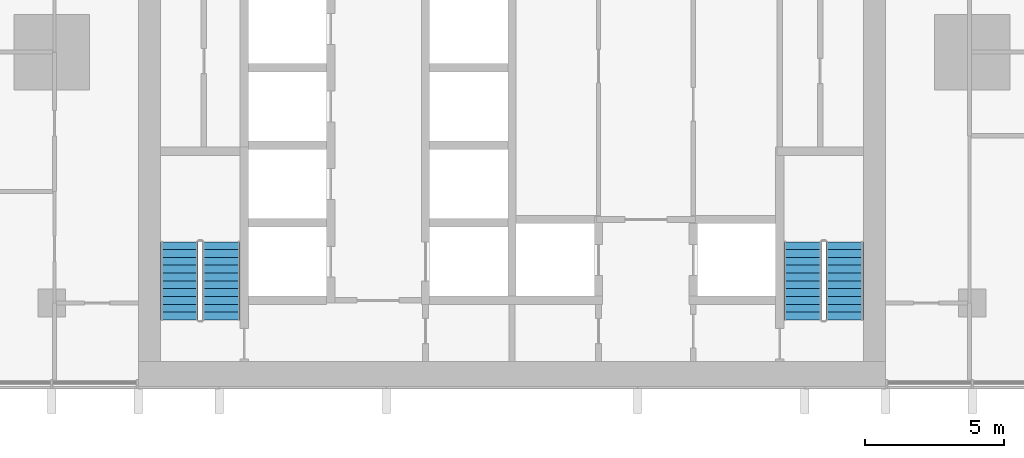
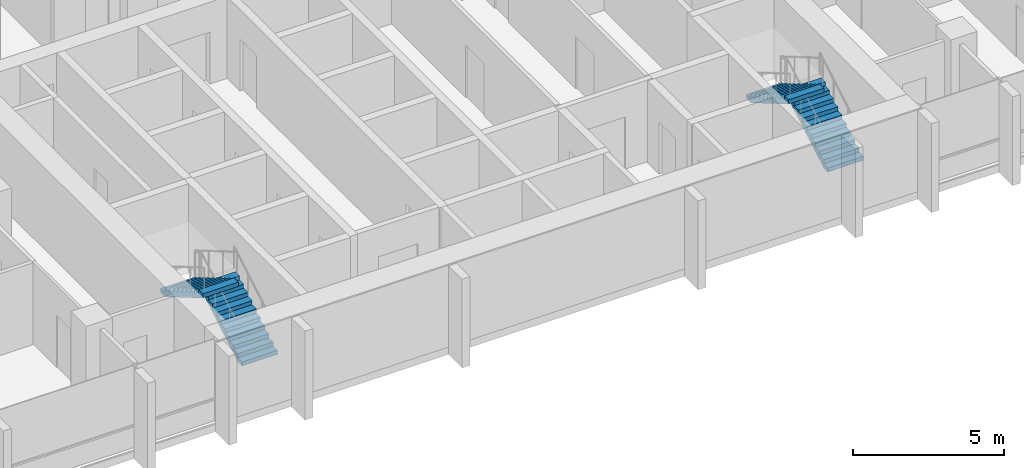
# One storey, part 13 of 19: 4 stair flights, 2 elements without a shape of their own.
"""IFC4 building model written with IfcOpenShell, lengths in metres."""

from ifc_helpers import new_model, si_unit, direction, frame, origin, place, context, subcontext, project, spatial, polyline, outline, extrude, material, type_object, element, aggregate, save


model = new_model("IFC4")

# Units and contexts
model_context = context("Model", 3, precision=1e-05, world=origin(), true_north=direction((0.0, 1.0)))
body_context = subcontext(model_context, "Body", "Model", "MODEL_VIEW")
ifc_project = project(units=[si_unit("LENGTHUNIT", "METRE"), si_unit("AREAUNIT", "SQUARE_METRE"), si_unit("VOLUMEUNIT", "CUBIC_METRE"), si_unit("PLANEANGLEUNIT", "RADIAN"), si_unit("MASSUNIT", "GRAM", prefix="KILO")], contexts=[model_context])

# Site, building, storey
site_placement = place(None, origin())
site = spatial("IfcSite", under=ifc_project, at=site_placement, CompositionType="ELEMENT")
building_placement = place(site_placement, origin())
building = spatial("IfcBuilding", under=site, at=building_placement, Name="Finial Court Residences", CompositionType="ELEMENT")
storey_placement = place(building_placement, frame((0.0, 0.0, 88.300048828125)))
storey = spatial("IfcBuildingStorey", under=building, at=storey_placement, Name="L21", CompositionType="ELEMENT", Elevation=88.300048828125)

# Stair, stair flights
ifc_material = material(Name="Concrete C50/60", Category="concrete")
stair_type = type_object("IfcStairType", Name="Exit stair 22 risers of 163.6 mm", PredefinedType="HALF_TURN_STAIR", material=ifc_material)
stair_1_placement = place(storey_placement, origin())
stair_1 = element("IfcStair", 1, at=stair_1_placement, inside=storey, type_object=stair_type, Name="L21 Exit stair ST-1", PredefinedType="HALF_TURN_STAIR")
stair_flight_type = type_object("IfcStairFlightType", Name="Exit stair flight", PredefinedType="STRAIGHT", material=ifc_material)
stair_flight_1_placement = place(storey_placement, frame((-10.425048828125, -23.10009765625, 0.0), z_axis=(0.0, 0.0, 1.0), x_axis=(0.0, 1.0, 0.0)))
stair_flight_1 = element("IfcStairFlight", 2, at=stair_flight_1_placement, type_object=stair_flight_type, Name="ST-1 flight 1", NumberOfRisers=11, NumberOfTreads=10, PredefinedType="STRAIGHT", RiserHeight=0.163636364, TreadLength=0.28, context=body_context, shape_type="SweptSolid", body=[
    extrude(outline(polyline([(0.0, 0.0), (0.0, 0.16357421875), (0.280029296875, 0.16357421875), (0.280029296875, 0.327392578125), (0.56005859375, 0.327392578125), (0.56005859375, 0.490966796875), (0.840087890625, 0.490966796875), (0.840087890625, 0.654541015625), (1.1201171875, 0.654541015625), (1.1201171875, 0.818115234375), (1.39990234375, 0.818115234375), (1.39990234375, 0.98193359375), (1.679931640625, 0.98193359375), (1.679931640625, 1.1455078125), (1.9599609375, 1.1455078125), (1.9599609375, 1.30908203125), (2.239990234375, 1.30908203125), (2.239990234375, 1.47265625), (2.52001953125, 1.47265625), (2.52001953125, 1.636474609375), (2.800048828125, 1.636474609375), (2.800048828125, 1.800048828125), (2.800048828125, 1.462646484375), (0.297119140625, 0.0), (0.0, 0.0)])), frame((0.0, 0.675048828125, 0.0), z_axis=(0.0, -1.0, 0.0), x_axis=(1.0, 0.0, 0.0)), (0.0, 0.0, 1.0), 1.35009765625),
])
stair_flight_2_placement = place(storey_placement, frame((-11.925048828125, -20.300048828125, 1.800048828125), z_axis=(0.0, 0.0, 1.0), x_axis=(0.0, -1.0, 0.0)))
stair_flight_2 = element("IfcStairFlight", 3, at=stair_flight_2_placement, type_object=stair_flight_type, Name="ST-1 flight 2", NumberOfRisers=11, NumberOfTreads=10, PredefinedType="STRAIGHT", RiserHeight=0.163636364, TreadLength=0.28, context=body_context, shape_type="SweptSolid", body=[
    extrude(outline(polyline([(0.0, 0.0), (0.0, 0.16357421875), (0.280029296875, 0.16357421875), (0.280029296875, 0.327392578125), (0.56005859375, 0.327392578125), (0.56005859375, 0.490966796875), (0.840087890625, 0.490966796875), (0.840087890625, 0.654541015625), (1.1201171875, 0.654541015625), (1.1201171875, 0.818115234375), (1.39990234375, 0.818115234375), (1.39990234375, 0.98193359375), (1.679931640625, 0.98193359375), (1.679931640625, 1.1455078125), (1.9599609375, 1.1455078125), (1.9599609375, 1.30908203125), (2.239990234375, 1.30908203125), (2.239990234375, 1.47265625), (2.52001953125, 1.47265625), (2.52001953125, 1.636474609375), (2.800048828125, 1.636474609375), (2.800048828125, 1.800048828125), (2.800048828125, 1.462646484375), (0.297119140625, 0.0), (0.0, 0.0)])), frame((0.0, 0.675048828125, 0.0), z_axis=(0.0, -1.0, 0.0), x_axis=(1.0, 0.0, 0.0)), (0.0, 0.0, 1.0), 1.35009765625),
])
aggregate(stair_1, [stair_flight_1, stair_flight_2])

stair_2_placement = place(storey_placement, origin())
stair_2 = element("IfcStair", 4, at=stair_2_placement, inside=storey, type_object=stair_type, Name="L21 Exit stair ST-2", PredefinedType="HALF_TURN_STAIR")
stair_flight_3_placement = place(storey_placement, frame((11.925048828125, -23.10009765625, 0.0), z_axis=(0.0, 0.0, 1.0), x_axis=(0.0, 1.0, 0.0)))
stair_flight_3 = element("IfcStairFlight", 5, at=stair_flight_3_placement, type_object=stair_flight_type, Name="ST-2 flight 1", NumberOfRisers=11, NumberOfTreads=10, PredefinedType="STRAIGHT", RiserHeight=0.163636364, TreadLength=0.28, context=body_context, shape_type="SweptSolid", body=[
    extrude(outline(polyline([(0.0, 0.0), (0.0, 0.16357421875), (0.280029296875, 0.16357421875), (0.280029296875, 0.327392578125), (0.56005859375, 0.327392578125), (0.56005859375, 0.490966796875), (0.840087890625, 0.490966796875), (0.840087890625, 0.654541015625), (1.1201171875, 0.654541015625), (1.1201171875, 0.818115234375), (1.39990234375, 0.818115234375), (1.39990234375, 0.98193359375), (1.679931640625, 0.98193359375), (1.679931640625, 1.1455078125), (1.9599609375, 1.1455078125), (1.9599609375, 1.30908203125), (2.239990234375, 1.30908203125), (2.239990234375, 1.47265625), (2.52001953125, 1.47265625), (2.52001953125, 1.636474609375), (2.800048828125, 1.636474609375), (2.800048828125, 1.800048828125), (2.800048828125, 1.462646484375), (0.297119140625, 0.0), (0.0, 0.0)])), frame((0.0, 0.675048828125, 0.0), z_axis=(0.0, -1.0, 0.0), x_axis=(1.0, 0.0, 0.0)), (0.0, 0.0, 1.0), 1.35009765625),
])
stair_flight_4_placement = place(storey_placement, frame((10.425048828125, -20.300048828125, 1.800048828125), z_axis=(0.0, 0.0, 1.0), x_axis=(0.0, -1.0, 0.0)))
stair_flight_4 = element("IfcStairFlight", 6, at=stair_flight_4_placement, type_object=stair_flight_type, Name="ST-2 flight 2", NumberOfRisers=11, NumberOfTreads=10, PredefinedType="STRAIGHT", RiserHeight=0.163636364, TreadLength=0.28, context=body_context, shape_type="SweptSolid", body=[
    extrude(outline(polyline([(0.0, 0.0), (0.0, 0.16357421875), (0.280029296875, 0.16357421875), (0.280029296875, 0.327392578125), (0.56005859375, 0.327392578125), (0.56005859375, 0.490966796875), (0.840087890625, 0.490966796875), (0.840087890625, 0.654541015625), (1.1201171875, 0.654541015625), (1.1201171875, 0.818115234375), (1.39990234375, 0.818115234375), (1.39990234375, 0.98193359375), (1.679931640625, 0.98193359375), (1.679931640625, 1.1455078125), (1.9599609375, 1.1455078125), (1.9599609375, 1.30908203125), (2.239990234375, 1.30908203125), (2.239990234375, 1.47265625), (2.52001953125, 1.47265625), (2.52001953125, 1.636474609375), (2.800048828125, 1.636474609375), (2.800048828125, 1.800048828125), (2.800048828125, 1.462646484375), (0.297119140625, 0.0), (0.0, 0.0)])), frame((0.0, 0.675048828125, 0.0), z_axis=(0.0, -1.0, 0.0), x_axis=(1.0, 0.0, 0.0)), (0.0, 0.0, 1.0), 1.35009765625),
])
aggregate(stair_2, [stair_flight_3, stair_flight_4])

save(model, "model.ifc")
